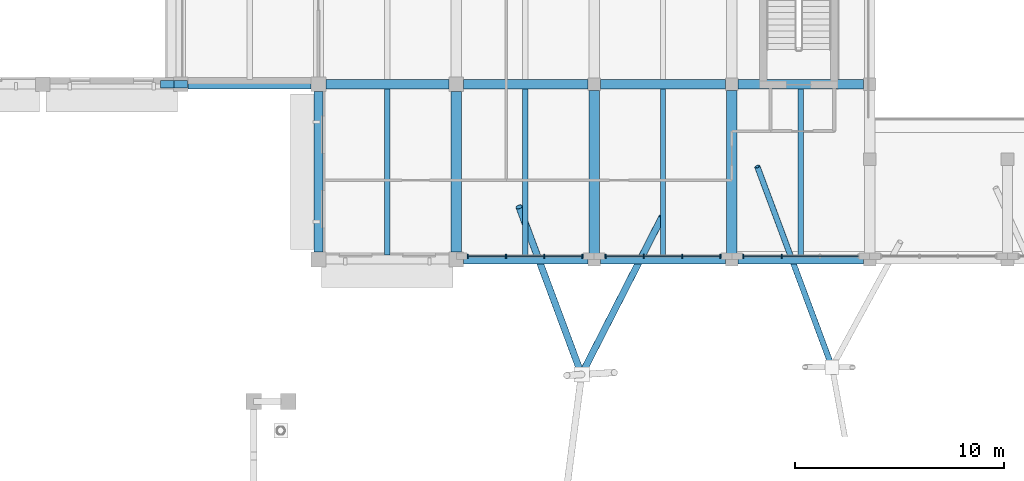
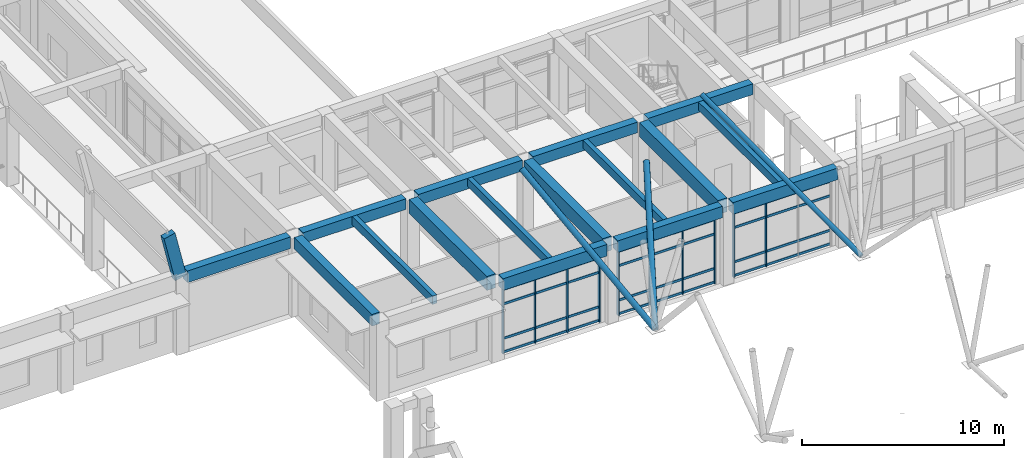
# One storey, part 16 of 75: 25 members, 17 beams, 3 elements without a shape of their own.
"""IFC4 building model written with IfcOpenShell, lengths in metres."""

from ifc_helpers import new_model, si_unit, direction, frame, origin, origin_2d, place, context, subcontext, project, spatial, rectangle, hollow_circle, extrude, material, layer, layer_set, material_profile, profile_set, type_object, element, aggregate, save


model = new_model("IFC4")

# Units and contexts
model_context = context("Model", 3, precision=1e-05, world=origin(), true_north=direction((0.0, 1.0)))
body_context = subcontext(model_context, "Body", "Model", "MODEL_VIEW")
ifc_project = project(units=[si_unit("LENGTHUNIT", "METRE"), si_unit("AREAUNIT", "SQUARE_METRE"), si_unit("VOLUMEUNIT", "CUBIC_METRE"), si_unit("PLANEANGLEUNIT", "RADIAN"), si_unit("MASSUNIT", "GRAM", prefix="KILO")], contexts=[model_context])

# Site, building, storey
site_placement = place(None, origin())
site = spatial("IfcSite", under=ifc_project, at=site_placement, CompositionType="ELEMENT")
building_placement = place(site_placement, origin())
building = spatial("IfcBuilding", under=site, at=building_placement, Name="Kolvaren Faculty of Natural Sciences", CompositionType="ELEMENT")
storey_placement = place(building_placement, frame((0.0, 0.0, 5.39990234375)))
storey = spatial("IfcBuildingStorey", under=building, at=storey_placement, Name="L01", CompositionType="ELEMENT", Elevation=5.39990234375)

# Curtain wall, members
ifc_material_1 = material(Name="Thermally broken anodised aluminium framing", Category="aluminium")
ifc_layer_1 = layer(ifc_material_1, 0.179931640625)
ifc_layer_set_1 = layer_set([ifc_layer_1], Name="Thermally broken anodised aluminium framing")
curtain_wall_type_1 = type_object("IfcCurtainWallType", Name="AtriumCurtainWall_CW01", PredefinedType="NOTDEFINED", material=ifc_layer_set_1)
curtain_wall_1_placement = place(storey_placement, origin())
curtain_wall_1 = element("IfcCurtainWall", 1, at=curtain_wall_1_placement, inside=storey, type_object=curtain_wall_type_1, Name="L01 unitised curtain wall CW-01 (CW-L01-068)", PredefinedType="NOTDEFINED")
ifc_material_profile_1 = material_profile(ifc_material_1, rectangle(XDim=0.06005859375, YDim=0.179931640625, at=origin_2d()), Name="ALU MUL 60x180")
ifc_profile_set_1 = profile_set([ifc_material_profile_1], Name="Thermally broken anodised aluminium framing")
member_type_1 = type_object("IfcMemberType", Name="CurtainMullion_60x180", PredefinedType="MULLION", material=ifc_profile_set_1)
member_1_placement = place(storey_placement, frame((61.9833984375, 67.56005859375, 0.0), z_axis=(0.0, 0.0, 1.0), x_axis=(-1.0, 0.0, 0.0)))
member_1 = element("IfcMember", 2, at=member_1_placement, type_object=member_type_1, Name="CW-L01-068 vertical mullion 3", PredefinedType="MULLION", context=body_context, shape_type="SweptSolid", body=[
    extrude(rectangle(XDim=0.06005859375, YDim=0.179931640625, at=origin_2d()), origin(), (0.0, 0.0, 1.0), 3.93505859375),
])
member_2_placement = place(storey_placement, frame((60.14990234375, 67.56005859375, 0.0), z_axis=(0.0, 0.0, 1.0), x_axis=(-1.0, 0.0, 0.0)))
member_2 = element("IfcMember", 3, at=member_2_placement, type_object=member_type_1, Name="CW-L01-068 vertical mullion 4", PredefinedType="MULLION", context=body_context, shape_type="SweptSolid", body=[
    extrude(rectangle(XDim=0.06005859375, YDim=0.179931640625, at=origin_2d()), origin(), (0.0, 0.0, 1.0), 3.93505859375),
])

ifc_layer_2 = layer(ifc_material_1, 0.179931640625)
ifc_layer_set_2 = layer_set([ifc_layer_2], Name="Thermally broken anodised aluminium framing")
curtain_wall_type_2 = type_object("IfcCurtainWallType", Name="CommonsCurtainWall_CW02", PredefinedType="NOTDEFINED", material=ifc_layer_set_2)
curtain_wall_2_placement = place(storey_placement, origin())
curtain_wall_2 = element("IfcCurtainWall", 4, at=curtain_wall_2_placement, inside=storey, type_object=curtain_wall_type_2, Name="L01 unitised curtain wall CW-02 (CW-L01-069)", PredefinedType="NOTDEFINED")
member_3_placement = place(storey_placement, frame((59.050048828125, 67.56005859375, 0.0), z_axis=(0.0, 0.0, 1.0), x_axis=(-1.0, 0.0, 0.0)))
member_3 = element("IfcMember", 5, at=member_3_placement, type_object=member_type_1, Name="CW-L01-069 vertical mullion 1", PredefinedType="MULLION", context=body_context, shape_type="SweptSolid", body=[
    extrude(rectangle(XDim=0.06005859375, YDim=0.179931640625, at=origin_2d()), origin(), (0.0, 0.0, 1.0), 3.93505859375),
])
member_4_placement = place(storey_placement, frame((57.216796875, 67.56005859375, 0.0), z_axis=(0.0, 0.0, 1.0), x_axis=(-1.0, 0.0, 0.0)))
member_4 = element("IfcMember", 6, at=member_4_placement, type_object=member_type_1, Name="CW-L01-069 vertical mullion 2", PredefinedType="MULLION", context=body_context, shape_type="SweptSolid", body=[
    extrude(rectangle(XDim=0.06005859375, YDim=0.179931640625, at=origin_2d()), origin(), (0.0, 0.0, 1.0), 3.93505859375),
])
member_5_placement = place(storey_placement, frame((55.38330078125, 67.56005859375, 0.0), z_axis=(0.0, 0.0, 1.0), x_axis=(-1.0, 0.0, 0.0)))
member_5 = element("IfcMember", 7, at=member_5_placement, type_object=member_type_1, Name="CW-L01-069 vertical mullion 3", PredefinedType="MULLION", context=body_context, shape_type="SweptSolid", body=[
    extrude(rectangle(XDim=0.06005859375, YDim=0.179931640625, at=origin_2d()), origin(), (0.0, 0.0, 1.0), 3.93505859375),
])
member_6_placement = place(storey_placement, frame((53.550048828125, 67.56005859375, 0.0), z_axis=(0.0, 0.0, 1.0), x_axis=(-1.0, 0.0, 0.0)))
member_6 = element("IfcMember", 8, at=member_6_placement, type_object=member_type_1, Name="CW-L01-069 vertical mullion 4", PredefinedType="MULLION", context=body_context, shape_type="SweptSolid", body=[
    extrude(rectangle(XDim=0.06005859375, YDim=0.179931640625, at=origin_2d()), origin(), (0.0, 0.0, 1.0), 3.93505859375),
])

curtain_wall_3_placement = place(storey_placement, origin())
curtain_wall_3 = element("IfcCurtainWall", 9, at=curtain_wall_3_placement, inside=storey, type_object=curtain_wall_type_2, Name="L01 unitised curtain wall CW-02 (CW-L01-070)", PredefinedType="NOTDEFINED")
member_7_placement = place(storey_placement, frame((52.449951171875, 67.56005859375, 0.0), z_axis=(0.0, 0.0, 1.0), x_axis=(-1.0, 0.0, 0.0)))
member_7 = element("IfcMember", 10, at=member_7_placement, type_object=member_type_1, Name="CW-L01-070 vertical mullion 1", PredefinedType="MULLION", context=body_context, shape_type="SweptSolid", body=[
    extrude(rectangle(XDim=0.06005859375, YDim=0.179931640625, at=origin_2d()), origin(), (0.0, 0.0, 1.0), 3.93505859375),
])
member_8_placement = place(storey_placement, frame((50.61669921875, 67.56005859375, 0.0), z_axis=(0.0, 0.0, 1.0), x_axis=(-1.0, 0.0, 0.0)))
member_8 = element("IfcMember", 11, at=member_8_placement, type_object=member_type_1, Name="CW-L01-070 vertical mullion 2", PredefinedType="MULLION", context=body_context, shape_type="SweptSolid", body=[
    extrude(rectangle(XDim=0.06005859375, YDim=0.179931640625, at=origin_2d()), origin(), (0.0, 0.0, 1.0), 3.93505859375),
])
member_9_placement = place(storey_placement, frame((48.783203125, 67.56005859375, 0.0), z_axis=(0.0, 0.0, 1.0), x_axis=(-1.0, 0.0, 0.0)))
member_9 = element("IfcMember", 12, at=member_9_placement, type_object=member_type_1, Name="CW-L01-070 vertical mullion 3", PredefinedType="MULLION", context=body_context, shape_type="SweptSolid", body=[
    extrude(rectangle(XDim=0.06005859375, YDim=0.179931640625, at=origin_2d()), origin(), (0.0, 0.0, 1.0), 3.93505859375),
])
member_10_placement = place(storey_placement, frame((46.949951171875, 67.56005859375, 0.0), z_axis=(0.0, 0.0, 1.0), x_axis=(-1.0, 0.0, 0.0)))
member_10 = element("IfcMember", 13, at=member_10_placement, type_object=member_type_1, Name="CW-L01-070 vertical mullion 4", PredefinedType="MULLION", context=body_context, shape_type="SweptSolid", body=[
    extrude(rectangle(XDim=0.06005859375, YDim=0.179931640625, at=origin_2d()), origin(), (0.0, 0.0, 1.0), 3.93505859375),
])

# Member
ifc_material_profile_2 = material_profile(ifc_material_1, rectangle(XDim=0.06005859375, YDim=0.139892578125, at=origin_2d()), Name="ALU TRN 60x140")
ifc_profile_set_2 = profile_set([ifc_material_profile_2], Name="Thermally broken anodised aluminium framing")
member_type_2 = type_object("IfcMemberType", Name="CurtainTransom_60x140", PredefinedType="USERDEFINED", material=ifc_profile_set_2)
member_11_placement = place(storey_placement, frame((65.64990234375, 67.56005859375, 0.080078125), z_axis=(-1.0, 0.0, 0.0), x_axis=(0.0, -1.0, 0.0)))
member_11 = element("IfcMember", 14, at=member_11_placement, type_object=member_type_2, Name="CW-L01-068 horizontal transom 1", ObjectType="TRANSOM", PredefinedType="USERDEFINED", context=body_context, shape_type="SweptSolid", body=[
    extrude(rectangle(XDim=0.06005859375, YDim=0.139892578125, at=origin_2d()), origin(), (0.0, 0.0, 1.0), 5.5),
])

member_12_placement = place(storey_placement, frame((65.64990234375, 67.56005859375, 0.900146484375), z_axis=(-1.0, 0.0, 0.0), x_axis=(0.0, -1.0, 0.0)))
member_12 = element("IfcMember", 15, at=member_12_placement, type_object=member_type_2, Name="CW-L01-068 horizontal transom 2", ObjectType="TRANSOM", PredefinedType="USERDEFINED", context=body_context, shape_type="SweptSolid", body=[
    extrude(rectangle(XDim=0.06005859375, YDim=0.139892578125, at=origin_2d()), origin(), (0.0, 0.0, 1.0), 5.5),
])

member_13_placement = place(storey_placement, frame((65.64990234375, 67.56005859375, 2.985107421875), z_axis=(-1.0, 0.0, 0.0), x_axis=(0.0, -1.0, 0.0)))
member_13 = element("IfcMember", 16, at=member_13_placement, type_object=member_type_2, Name="CW-L01-068 horizontal transom 3", ObjectType="TRANSOM", PredefinedType="USERDEFINED", context=body_context, shape_type="SweptSolid", body=[
    extrude(rectangle(XDim=0.06005859375, YDim=0.139892578125, at=origin_2d()), origin(), (0.0, 0.0, 1.0), 5.5),
])

member_14_placement = place(storey_placement, frame((65.64990234375, 67.56005859375, 3.85498046875), z_axis=(-1.0, 0.0, 0.0), x_axis=(0.0, -1.0, 0.0)))
member_14 = element("IfcMember", 17, at=member_14_placement, type_object=member_type_2, Name="CW-L01-068 horizontal transom 4", ObjectType="TRANSOM", PredefinedType="USERDEFINED", context=body_context, shape_type="SweptSolid", body=[
    extrude(rectangle(XDim=0.06005859375, YDim=0.139892578125, at=origin_2d()), origin(), (0.0, 0.0, 1.0), 5.5),
])

aggregate(curtain_wall_1, [member_1, member_2, member_11, member_12, member_13, member_14])

member_15_placement = place(storey_placement, frame((59.050048828125, 67.56005859375, 0.080078125), z_axis=(-1.0, 0.0, 0.0), x_axis=(0.0, -1.0, 0.0)))
member_15 = element("IfcMember", 18, at=member_15_placement, type_object=member_type_2, Name="CW-L01-069 horizontal transom 1", ObjectType="TRANSOM", PredefinedType="USERDEFINED", context=body_context, shape_type="SweptSolid", body=[
    extrude(rectangle(XDim=0.06005859375, YDim=0.139892578125, at=origin_2d()), origin(), (0.0, 0.0, 1.0), 5.5),
])

member_16_placement = place(storey_placement, frame((59.050048828125, 67.56005859375, 0.900146484375), z_axis=(-1.0, 0.0, 0.0), x_axis=(0.0, -1.0, 0.0)))
member_16 = element("IfcMember", 19, at=member_16_placement, type_object=member_type_2, Name="CW-L01-069 horizontal transom 2", ObjectType="TRANSOM", PredefinedType="USERDEFINED", context=body_context, shape_type="SweptSolid", body=[
    extrude(rectangle(XDim=0.06005859375, YDim=0.139892578125, at=origin_2d()), origin(), (0.0, 0.0, 1.0), 5.5),
])

member_17_placement = place(storey_placement, frame((59.050048828125, 67.56005859375, 2.985107421875), z_axis=(-1.0, 0.0, 0.0), x_axis=(0.0, -1.0, 0.0)))
member_17 = element("IfcMember", 20, at=member_17_placement, type_object=member_type_2, Name="CW-L01-069 horizontal transom 3", ObjectType="TRANSOM", PredefinedType="USERDEFINED", context=body_context, shape_type="SweptSolid", body=[
    extrude(rectangle(XDim=0.06005859375, YDim=0.139892578125, at=origin_2d()), origin(), (0.0, 0.0, 1.0), 5.5),
])

member_18_placement = place(storey_placement, frame((59.050048828125, 67.56005859375, 3.85498046875), z_axis=(-1.0, 0.0, 0.0), x_axis=(0.0, -1.0, 0.0)))
member_18 = element("IfcMember", 21, at=member_18_placement, type_object=member_type_2, Name="CW-L01-069 horizontal transom 4", ObjectType="TRANSOM", PredefinedType="USERDEFINED", context=body_context, shape_type="SweptSolid", body=[
    extrude(rectangle(XDim=0.06005859375, YDim=0.139892578125, at=origin_2d()), origin(), (0.0, 0.0, 1.0), 5.5),
])

aggregate(curtain_wall_2, [member_3, member_4, member_5, member_6, member_15, member_16, member_17, member_18])

member_19_placement = place(storey_placement, frame((52.449951171875, 67.56005859375, 0.080078125), z_axis=(-1.0, 0.0, 0.0), x_axis=(0.0, -1.0, 0.0)))
member_19 = element("IfcMember", 22, at=member_19_placement, type_object=member_type_2, Name="CW-L01-070 horizontal transom 1", ObjectType="TRANSOM", PredefinedType="USERDEFINED", context=body_context, shape_type="SweptSolid", body=[
    extrude(rectangle(XDim=0.06005859375, YDim=0.139892578125, at=origin_2d()), origin(), (0.0, 0.0, 1.0), 5.5),
])

member_20_placement = place(storey_placement, frame((52.449951171875, 67.56005859375, 0.900146484375), z_axis=(-1.0, 0.0, 0.0), x_axis=(0.0, -1.0, 0.0)))
member_20 = element("IfcMember", 23, at=member_20_placement, type_object=member_type_2, Name="CW-L01-070 horizontal transom 2", ObjectType="TRANSOM", PredefinedType="USERDEFINED", context=body_context, shape_type="SweptSolid", body=[
    extrude(rectangle(XDim=0.06005859375, YDim=0.139892578125, at=origin_2d()), origin(), (0.0, 0.0, 1.0), 5.5),
])

member_21_placement = place(storey_placement, frame((52.449951171875, 67.56005859375, 2.985107421875), z_axis=(-1.0, 0.0, 0.0), x_axis=(0.0, -1.0, 0.0)))
member_21 = element("IfcMember", 24, at=member_21_placement, type_object=member_type_2, Name="CW-L01-070 horizontal transom 3", ObjectType="TRANSOM", PredefinedType="USERDEFINED", context=body_context, shape_type="SweptSolid", body=[
    extrude(rectangle(XDim=0.06005859375, YDim=0.139892578125, at=origin_2d()), origin(), (0.0, 0.0, 1.0), 5.5),
])

member_22_placement = place(storey_placement, frame((52.449951171875, 67.56005859375, 3.85498046875), z_axis=(-1.0, 0.0, 0.0), x_axis=(0.0, -1.0, 0.0)))
member_22 = element("IfcMember", 25, at=member_22_placement, type_object=member_type_2, Name="CW-L01-070 horizontal transom 4", ObjectType="TRANSOM", PredefinedType="USERDEFINED", context=body_context, shape_type="SweptSolid", body=[
    extrude(rectangle(XDim=0.06005859375, YDim=0.139892578125, at=origin_2d()), origin(), (0.0, 0.0, 1.0), 5.5),
])

aggregate(curtain_wall_3, [member_7, member_8, member_9, member_10, member_19, member_20, member_21, member_22])

# Beams
ifc_material_2 = material(Name="Concrete C35/45", Category="concrete")
ifc_material_profile_3 = material_profile(ifc_material_2, rectangle(XDim=0.449951171875, YDim=0.64990234375, at=origin_2d()), Name="RC BM 450x650")
ifc_profile_set_3 = profile_set([ifc_material_profile_3], Name="Concrete C35/45")
beam_type_1 = type_object("IfcBeamType", Name="GridBeam_450x650", PredefinedType="BEAM", material=ifc_profile_set_3)
beam_1_placement = place(storey_placement, frame((40.14990234375, 75.800048828125, 4.47509765625), z_axis=(1.0, 0.0, 0.0), x_axis=(0.0, 1.0, 0.0)))
element("IfcBeam", 26, at=beam_1_placement, inside=storey, type_object=beam_type_1, Name="L01 beam BM-65 on grid K", PredefinedType="BEAM", context=body_context, shape_type="SweptSolid", body=[
    extrude(rectangle(XDim=0.449951171875, YDim=0.64990234375, at=origin_2d()), origin(), (0.0, 0.0, 1.0), 5.900146484375),
])
beam_2_placement = place(storey_placement, frame((46.75, 75.800048828125, 4.47509765625), z_axis=(1.0, 0.0, 0.0), x_axis=(0.0, 1.0, 0.0)))
element("IfcBeam", 27, at=beam_2_placement, inside=storey, type_object=beam_type_1, Name="L01 beam BM-65 on grid K", PredefinedType="BEAM", context=body_context, shape_type="SweptSolid", body=[
    extrude(rectangle(XDim=0.449951171875, YDim=0.64990234375, at=origin_2d()), origin(), (0.0, 0.0, 1.0), 5.949951171875),
])
for number, where, z_axis, x_axis, name in (
    (28, (53.300048828125, 75.800048828125, 4.47509765625), (1.0, 0.0, 0.0), (0.0, 1.0, 0.0), "L01 beam BM-65 on grid K"),
    (29, (59.89990234375, 75.800048828125, 4.47509765625), (1.0, 0.0, 0.0), (0.0, 1.0, 0.0), "L01 beam BM-65 on grid K"),
):
    element("IfcBeam", number, at=place(storey_placement, frame(where, z_axis=z_axis, x_axis=x_axis)), inside=storey, type_object=beam_type_1, Name=name, PredefinedType="BEAM", context=body_context, shape_type="SweptSolid", body=[
        extrude(rectangle(XDim=0.449951171875, YDim=0.64990234375, at=origin_2d()), origin(), (0.0, 0.0, 1.0), 6.0),
    ])
ifc_material_profile_4 = material_profile(ifc_material_2, rectangle(XDim=0.260009765625, YDim=0.5, at=origin_2d()), Name="RC JST 260x500")
ifc_profile_set_4 = profile_set([ifc_material_profile_4], Name="Concrete C35/45")
beam_type_2 = type_object("IfcBeamType", Name="LabRibJoist_260x500", PredefinedType="JOIST", material=ifc_profile_set_4)
for number, where, z_axis, x_axis, name in (
    (30, (43.10009765625, 67.625, 4.550048828125), (0.0, 1.0, 0.0), (-1.0, 0.0, 0.0), "L01 ribbed laboratory slab joist JS-50"),
    (31, (49.699951171875, 67.625, 4.550048828125), (0.0, 1.0, 0.0), (-1.0, 0.0, 0.0), "L01 ribbed laboratory slab joist JS-50"),
    (32, (56.300048828125, 67.625, 4.550048828125), (0.0, 1.0, 0.0), (-1.0, 0.0, 0.0), "L01 ribbed laboratory slab joist JS-50"),
    (33, (62.89990234375, 67.625, 4.550048828125), (0.0, 1.0, 0.0), (-1.0, 0.0, 0.0), "L01 ribbed laboratory slab joist JS-50"),
):
    element("IfcBeam", number, at=place(storey_placement, frame(where, z_axis=z_axis, x_axis=x_axis)), inside=storey, type_object=beam_type_2, Name=name, PredefinedType="JOIST", context=body_context, shape_type="SweptSolid", body=[
        extrude(rectangle(XDim=0.260009765625, YDim=0.5, at=origin_2d()), origin(), (0.0, 0.0, 1.0), 7.949951171875),
    ])
ifc_material_profile_5 = material_profile(ifc_material_2, rectangle(XDim=0.449951171875, YDim=0.699951171875, at=origin_2d()), Name="RC SP 450x700")
ifc_profile_set_5 = profile_set([ifc_material_profile_5], Name="Concrete C35/45")
beam_type_3 = type_object("IfcBeamType", Name="PerimeterSpandrel_450x700", PredefinedType="SPANDREL", material=ifc_profile_set_5)
beam_3_placement = place(storey_placement, frame((46.75, 67.39990234375, 4.4501953125), z_axis=(1.0, 0.0, 0.0), x_axis=(0.0, 1.0, 0.0)))
element("IfcBeam", 34, at=beam_3_placement, inside=storey, type_object=beam_type_3, Name="L01 spandrel SP-70 on grid J", PredefinedType="SPANDREL", context=body_context, shape_type="SweptSolid", body=[
    extrude(rectangle(XDim=0.449951171875, YDim=0.699951171875, at=origin_2d()), origin(), (0.0, 0.0, 1.0), 5.949951171875),
])
for number, where, z_axis, x_axis, name in (
    (35, (53.300048828125, 67.39990234375, 4.4501953125), (1.0, 0.0, 0.0), (0.0, 1.0, 0.0), "L01 spandrel SP-70 on grid J"),
    (36, (59.89990234375, 67.39990234375, 4.4501953125), (1.0, 0.0, 0.0), (0.0, 1.0, 0.0), "L01 spandrel SP-70 on grid J"),
):
    element("IfcBeam", number, at=place(storey_placement, frame(where, z_axis=z_axis, x_axis=x_axis)), inside=storey, type_object=beam_type_3, Name=name, PredefinedType="SPANDREL", context=body_context, shape_type="SweptSolid", body=[
        extrude(rectangle(XDim=0.449951171875, YDim=0.699951171875, at=origin_2d()), origin(), (0.0, 0.0, 1.0), 6.0),
    ])
beam_4_placement = place(storey_placement, frame((33.550048828125, 75.800048828125, 4.4501953125), z_axis=(1.0, 0.0, 0.0), x_axis=(0.0, 1.0, 0.0)))
element("IfcBeam", 37, at=beam_4_placement, inside=storey, type_object=beam_type_3, Name="L01 spandrel SP-70 on grid K", PredefinedType="SPANDREL", context=body_context, shape_type="SweptSolid", body=[
    extrude(rectangle(XDim=0.449951171875, YDim=0.699951171875, at=origin_2d()), origin(), (0.0, 0.0, 1.0), 5.89990234375),
])
beam_5_placement = place(storey_placement, frame((39.800048828125, 67.75, 4.4501953125), z_axis=(0.0, 1.0, 0.0), x_axis=(-1.0, 0.0, 0.0)))
element("IfcBeam", 38, at=beam_5_placement, inside=storey, type_object=beam_type_3, Name="L01 girder SP-70 on grid 7", PredefinedType="SPANDREL", context=body_context, shape_type="SweptSolid", body=[
    extrude(rectangle(XDim=0.449951171875, YDim=0.699951171875, at=origin_2d()), origin(), (0.0, 0.0, 1.0), 7.699951171875),
])
ifc_material_profile_6 = material_profile(ifc_material_2, rectangle(XDim=0.5, YDim=0.85009765625, at=origin_2d()), Name="RC BM 500x850")
ifc_profile_set_6 = profile_set([ifc_material_profile_6], Name="Concrete C35/45")
beam_type_4 = type_object("IfcBeamType", Name="PrimaryGirder_500x850", PredefinedType="BEAM", material=ifc_profile_set_6)
beam_6_placement = place(storey_placement, frame((46.39990234375, 67.75, 4.375), z_axis=(0.0, 1.0, 0.0), x_axis=(-1.0, 0.0, 0.0)))
element("IfcBeam", 39, at=beam_6_placement, inside=storey, type_object=beam_type_4, Name="L01 girder BG-85 on grid 8", PredefinedType="BEAM", context=body_context, shape_type="SweptSolid", body=[
    extrude(rectangle(XDim=0.5, YDim=0.85009765625, at=origin_2d()), origin(), (0.0, 0.0, 1.0), 7.699951171875),
])
for number, where, z_axis, x_axis, name in (
    (40, (53.0, 67.699951171875, 4.375), (0.0, 1.0, 0.0), (-1.0, 0.0, 0.0), "L01 girder BG-85 on grid 9"),
    (41, (59.60009765625, 67.699951171875, 4.375), (0.0, 1.0, 0.0), (-1.0, 0.0, 0.0), "L01 girder BG-85 on grid 10"),
):
    element("IfcBeam", number, at=place(storey_placement, frame(where, z_axis=z_axis, x_axis=x_axis)), inside=storey, type_object=beam_type_4, Name=name, PredefinedType="BEAM", context=body_context, shape_type="SweptSolid", body=[
        extrude(rectangle(XDim=0.5, YDim=0.85009765625, at=origin_2d()), origin(), (0.0, 0.0, 1.0), 7.800048828125),
    ])
ifc_material_3 = material(Name="Concrete C40/50", Category="concrete")
ifc_material_profile_7 = material_profile(ifc_material_3, rectangle(XDim=0.35009765625, YDim=0.64990234375, at=origin_2d()), Name="RC RB 350x650")
ifc_profile_set_7 = profile_set([ifc_material_profile_7], Name="Concrete C40/50")
beam_type_5 = type_object("IfcBeamType", Name="ShellArchRib_350x650", PredefinedType="BEAM", material=ifc_profile_set_7)
beam_7_placement = place(storey_placement, frame((32.553955078125, 75.800048828125, 7.239501953125), z_axis=(0.227934858985, 0.0, -0.973676383641), x_axis=(0.0, 1.0, 0.0)))
element("IfcBeam", 42, at=beam_7_placement, inside=storey, type_object=beam_type_5, Name="Lecture Theatre Pavilion Barrel Vault Shell arched stiffening rib 1.10", PredefinedType="BEAM", context=body_context, shape_type="SweptSolid", body=[
    extrude(rectangle(XDim=0.35009765625, YDim=0.64990234375, at=origin_2d()), origin(), (0.0, 0.0, 1.0), 2.834228515625),
])

# Members
ifc_material_4 = material(Name="Structural steel EN 10210-1 S355J2H (white architectural finish)", Category="steel")
ifc_material_profile_8 = material_profile(ifc_material_4, hollow_circle(Radius=0.161865234375, WallThickness=0.012451171875, at=origin_2d()), Name="CHS 323.9x12.5")
ifc_profile_set_8 = profile_set([ifc_material_profile_8], Name="Structural steel EN 10210-1 S355J2H (white architectural finish)")
member_type_3 = type_object("IfcMemberType", Name="TreeBranchPortal_CHS324", PredefinedType="STRUT", material=ifc_profile_set_8)
member_23_placement = place(storey_placement, frame((52.39990234375, 61.893798828125, 3.0), z_axis=(-0.287944654955, 0.773125522134, 0.565123705668), x_axis=(-0.937114824994, -0.349021209637, 0.0)))
element("IfcMember", 43, at=member_23_placement, inside=storey, type_object=member_type_3, Name="Covered street canopy tree TREE-02 inclined branch 1", PredefinedType="STRUT", context=body_context, shape_type="SweptSolid", body=[
    extrude(hollow_circle(Radius=0.161865234375, WallThickness=0.012451171875, at=origin_2d()), origin(), (0.0, 0.0, 1.0), 10.386474609375),
])
member_24_placement = place(storey_placement, frame((52.39990234375, 61.893798828125, 3.0), z_axis=(0.407184463764, 0.796831213101, 0.446386413657), x_axis=(-0.890473092818, 0.455035900745, 0.0)))
element("IfcMember", 44, at=member_24_placement, inside=storey, type_object=member_type_3, Name="Covered street canopy tree TREE-02 inclined branch 5", PredefinedType="STRUT", context=body_context, shape_type="SweptSolid", body=[
    extrude(hollow_circle(Radius=0.161865234375, WallThickness=0.012451171875, at=origin_2d()), origin(), (0.0, 0.0, 1.0), 9.46630859375),
])
ifc_material_profile_9 = material_profile(ifc_material_4, hollow_circle(Radius=0.136474609375, WallThickness=0.012451171875, at=origin_2d()), Name="CHS 273x12.5")
ifc_profile_set_9 = profile_set([ifc_material_profile_9], Name="Structural steel EN 10210-1 S355J2H (white architectural finish)")
member_type_4 = type_object("IfcMemberType", Name="TreeBranchPrimary_CHS273", PredefinedType="STRUT", material=ifc_profile_set_9)
member_25_placement = place(storey_placement, frame((64.39990234375, 62.244384765625, 3.0), z_axis=(-0.311573017595, 0.835710572926, 0.452227921524), x_axis=(-0.936997775307, -0.349335324681, 0.0)))
element("IfcMember", 45, at=member_25_placement, inside=storey, type_object=member_type_4, Name="Covered street canopy tree TREE-04 inclined branch 1", PredefinedType="STRUT", context=body_context, shape_type="SweptSolid", body=[
    extrude(hollow_circle(Radius=0.136474609375, WallThickness=0.012451171875, at=origin_2d()), origin(), (0.0, 0.0, 1.0), 11.495849609375),
])

save(model, "model.ifc")
